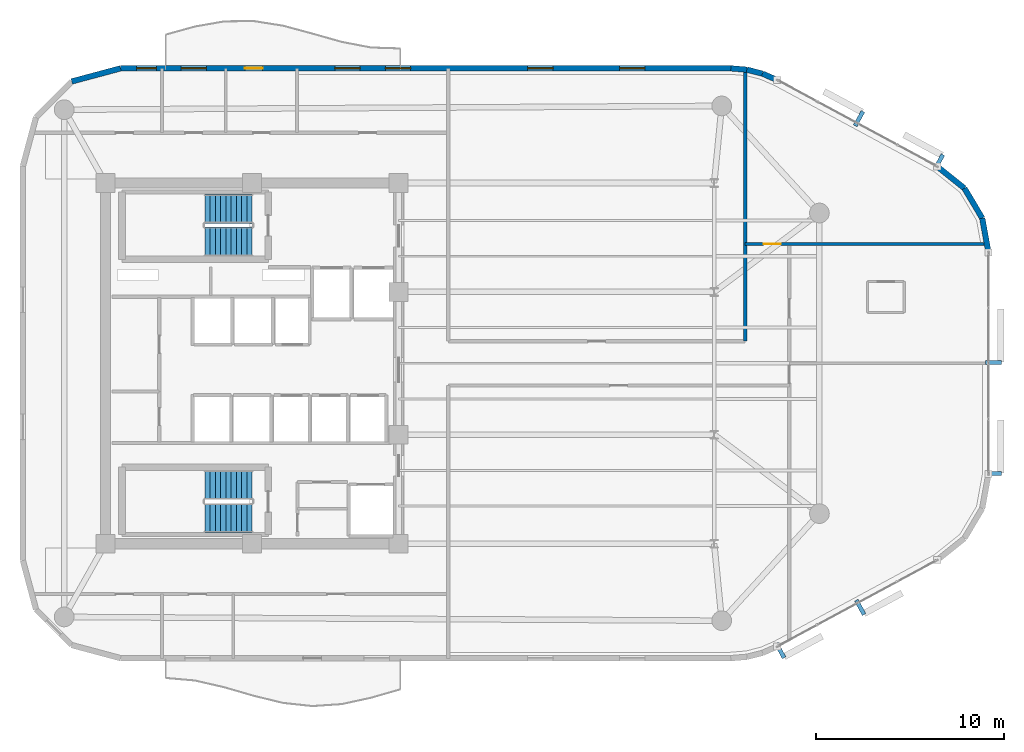
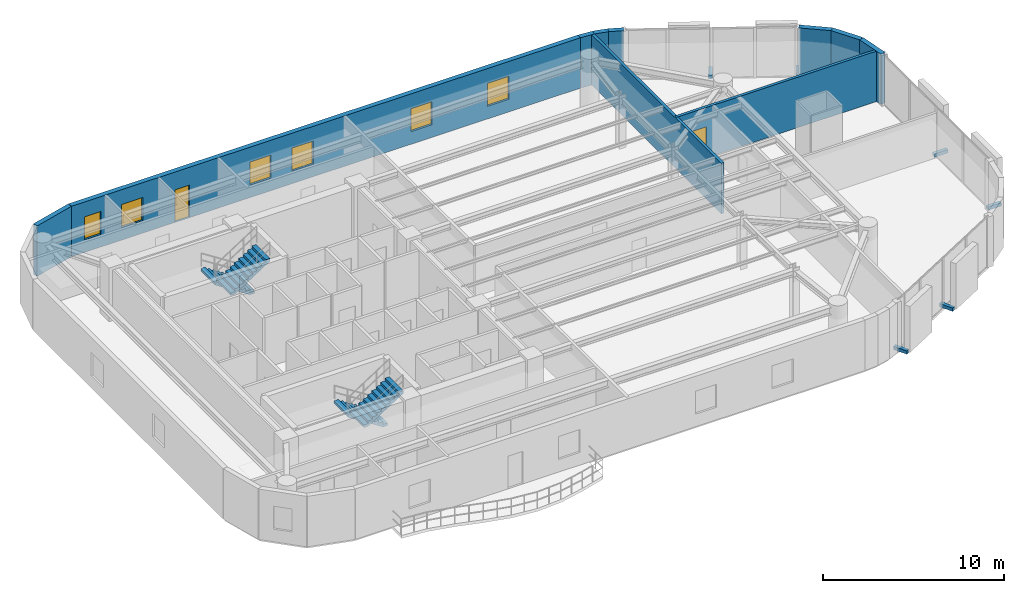
# One storey, part 11 of 13: 10 walls, 6 discrete accessories, 6 windows, 4 stair flights, 2 doors, 8 openings, 2 elements without a shape of their own.
"""IFC4 building model written with IfcOpenShell, lengths in metres."""

from ifc_helpers import new_model, si_unit, direction, frame, frame_2d, origin, origin_2d, place, context, subcontext, project, spatial, polyline, rectangle, outline, extrude, material, layer, layer_set, type_object, element, fill, aggregate, save


model = new_model("IFC4")

# Units and contexts
model_context = context("Model", 3, precision=1e-05, world=origin(), true_north=direction((0.0, 1.0)))
body_context = subcontext(model_context, "Body", "Model", "MODEL_VIEW")
ifc_project = project(units=[si_unit("LENGTHUNIT", "METRE"), si_unit("AREAUNIT", "SQUARE_METRE"), si_unit("VOLUMEUNIT", "CUBIC_METRE"), si_unit("PLANEANGLEUNIT", "RADIAN"), si_unit("MASSUNIT", "GRAM", prefix="KILO")], contexts=[model_context])

# Site, building, storey
site_placement = place(None, origin())
site = spatial("IfcSite", under=ifc_project, at=site_placement, CompositionType="ELEMENT")
building_placement = place(site_placement, origin())
building = spatial("IfcBuilding", under=site, at=building_placement, Name="An Khanh Terracotta Commons", CompositionType="ELEMENT")
storey_placement = place(building_placement, frame((0.0, 0.0, 201.300048828125)))
storey = spatial("IfcBuildingStorey", under=building, at=storey_placement, Name="L52", CompositionType="ELEMENT", Elevation=201.300048828125)

# Wall, opening, door
ifc_material_1 = material(Name="Fire-Rated Gypsum Board on Steel Stud", Category="steel")
ifc_layer_1 = layer(ifc_material_1, 0.179931640625, Name="Fire-Rated Gypsum Board on Steel Stud")
ifc_layer_set_1 = layer_set([ifc_layer_1], Name="Fire-Rated Gypsum Board on Steel Stud")
wall_type_1 = type_object("IfcWallType", Name="WALL-CORR-180", PredefinedType="PARTITIONING", material=ifc_layer_set_1)
wall_1_placement = place(storey_placement, frame((55.64990234375, 30.35009765625, 0.0), z_axis=(0.0, 0.0, 1.0), x_axis=(1.0, 0.0, 0.0)))
wall_1 = element("IfcWall", 1, at=wall_1_placement, inside=storey, type_object=wall_type_1, Name="L52 Interior Partition IW-L52-E005", PredefinedType="PARTITIONING", context=body_context, shape_type="SweptSolid", body=[
    extrude(rectangle(XDim=12.8681640625, YDim=0.179931640625, at=frame_2d((6.43408203125, 0.0))), origin(), (0.0, 0.0, 1.0), 3.39990234375),
])
opening_1_placement = place(wall_1_placement, frame((0.97509765625, 0.0, 0.0)))
opening_1 = element("IfcOpeningElement", 2, at=opening_1_placement, cuts=wall_1, Name="Opening D-RM", PredefinedType="OPENING", context=body_context, shape_type="SweptSolid", body=[
    extrude(rectangle(XDim=0.919921875, YDim=2.10009765625, at=frame_2d((0.4599609375, 1.050048828125))), frame((0.0, 0.099853515625, 0.0), z_axis=(0.0, -1.0, 0.0), x_axis=(1.0, 0.0, 0.0)), (0.0, 0.0, 1.0), 0.199951171875),
])
ifc_material_2 = material(Name="Engineered Hardwood Timber Leaf", Category="wood")
door_type_1 = type_object("IfcDoorType", Name="DOOR-INT-920", OperationType="NOTDEFINED", PredefinedType="DOOR", material=ifc_material_2)
door_1_placement = place(opening_1_placement, origin())
door_1 = element("IfcDoor", 3, at=door_1_placement, inside=storey, type_object=door_type_1, Name="L52 ZCN Collaborative Study Lounge Door", OperationType="SINGLE_SWING_RIGHT", OverallHeight=2.10009765625, OverallWidth=0.919921875, PredefinedType="DOOR", context=body_context, shape_type="SweptSolid", body=[
    extrude(rectangle(XDim=0.919921875, YDim=2.10009765625, at=frame_2d((0.4599609375, 1.050048828125))), frame((0.0, 0.02490234375, 0.0), z_axis=(0.0, -1.0, 0.0), x_axis=(1.0, 0.0, 0.0)), (0.0, 0.0, 1.0), 0.050048828125),
])
fill(opening_1, door_1)

# Walls
wall_2_placement = place(storey_placement, frame((55.64990234375, 25.179931640625, 0.0), z_axis=(0.0, 0.0, 1.0), x_axis=(0.0, 1.0, 0.0)))
element("IfcWall", 4, at=wall_2_placement, inside=storey, type_object=wall_type_1, Name="L52 Interior Partition IW-L52-E014", PredefinedType="PARTITIONING", context=body_context, shape_type="SweptSolid", body=[
    extrude(rectangle(XDim=14.4560546875, YDim=0.179931640625, at=frame_2d((7.22802734375, 0.0))), origin(), (0.0, 0.0, 1.0), 3.39990234375),
])
ifc_material_3 = material(Name="Precast concrete C40/50", Category="concrete")
ifc_layer_2 = layer(ifc_material_3, 0.300048828125, Name="Precast concrete C40/50")
ifc_layer_set_2 = layer_set([ifc_layer_2], Name="Precast concrete C40/50")
wall_type_2 = type_object("IfcWallType", Name="WALL-EXT-300", PredefinedType="SOLIDWALL", material=ifc_layer_set_2)
wall_3_placement = place(storey_placement, frame((68.60009765625, 29.89892578125, 0.0), z_axis=(0.0, 0.0, 1.0), x_axis=(-0.178468469252, 0.983945631365, 0.0)))
element("IfcWall", 5, at=wall_3_placement, inside=storey, type_object=wall_type_2, Name="L52 Insulated Terracotta Exterior Wall 13", PredefinedType="SOLIDWALL", context=body_context, shape_type="SweptSolid", body=[
    extrude(rectangle(XDim=1.85498046875, YDim=0.300048828125, at=frame_2d((0.927490234375, 0.0))), origin(), (0.0, 0.0, 1.0), 3.39990234375),
])
wall_4_placement = place(storey_placement, frame((68.26904296875, 31.72412109375, 0.0), z_axis=(0.0, 0.0, 1.0), x_axis=(-0.512072018927, 0.858942516955, 0.0)))
element("IfcWall", 6, at=wall_4_placement, inside=storey, type_object=wall_type_2, Name="L52 Insulated Terracotta Exterior Wall 14", PredefinedType="SOLIDWALL", context=body_context, shape_type="SweptSolid", body=[
    extrude(rectangle(XDim=1.853271484375, YDim=0.300048828125, at=frame_2d((0.9267578125, 0.0))), origin(), (0.0, 0.0, 1.0), 3.39990234375),
])
wall_5_placement = place(storey_placement, frame((67.320068359375, 33.31591796875, 0.0), z_axis=(0.0, 0.0, 1.0), x_axis=(-0.780920189257, 0.624630817372, 0.0)))
element("IfcWall", 7, at=wall_5_placement, inside=storey, type_object=wall_type_2, Name="L52 Insulated Terracotta Exterior Wall 15", PredefinedType="SOLIDWALL", context=body_context, shape_type="SweptSolid", body=[
    extrude(rectangle(XDim=1.854248046875, YDim=0.300048828125, at=frame_2d((0.92724609375, 0.0))), origin(), (0.0, 0.0, 1.0), 3.39990234375),
])
wall_6_placement = place(storey_placement, frame((57.35693359375, 39.074951171875, 0.0), z_axis=(0.0, 0.0, 1.0), x_axis=(-0.916085473636, 0.400983048261, 0.0)))
element("IfcWall", 8, at=wall_6_placement, inside=storey, type_object=wall_type_2, Name="L52 Insulated Terracotta Exterior Wall 17", PredefinedType="SOLIDWALL", context=body_context, shape_type="SweptSolid", body=[
    extrude(rectangle(XDim=0.85791015625, YDim=0.300048828125, at=frame_2d((0.428955078125, 0.0))), origin(), (0.0, 0.0, 1.0), 3.39990234375),
])
wall_7_placement = place(storey_placement, frame((56.571044921875, 39.4189453125, 0.0), z_axis=(0.0, 0.0, 1.0), x_axis=(-0.969536346338, 0.244947490555, 0.0)))
element("IfcWall", 9, at=wall_7_placement, inside=storey, type_object=wall_type_2, Name="L52 Insulated Terracotta Exterior Wall 18", PredefinedType="SOLIDWALL", context=body_context, shape_type="SweptSolid", body=[
    extrude(rectangle(XDim=0.857177734375, YDim=0.300048828125, at=frame_2d((0.4287109375, 0.0))), origin(), (0.0, 0.0, 1.0), 3.39990234375),
])
wall_8_placement = place(storey_placement, frame((55.739990234375, 39.62890625, 0.0), z_axis=(0.0, 0.0, 1.0), x_axis=(-0.996565355958, 0.082809971041, 0.0)))
element("IfcWall", 10, at=wall_8_placement, inside=storey, type_object=wall_type_2, Name="L52 Insulated Terracotta Exterior Wall 19", PredefinedType="SOLIDWALL", context=body_context, shape_type="SweptSolid", body=[
    extrude(rectangle(XDim=0.85791015625, YDim=0.300048828125, at=frame_2d((0.428955078125, 0.0))), origin(), (0.0, 0.0, 1.0), 3.39990234375),
])

# Wall, openings, door, windows
wall_9_placement = place(storey_placement, frame((54.885009765625, 39.699951171875, 0.0), z_axis=(0.0, 0.0, 1.0), x_axis=(-1.0, 0.0, 0.0)))
wall_9 = element("IfcWall", 11, at=wall_9_placement, inside=storey, type_object=wall_type_2, Name="L52 Insulated Terracotta Exterior Wall 20", PredefinedType="SOLIDWALL", context=body_context, shape_type="SweptSolid", body=[
    extrude(rectangle(XDim=32.485107421875, YDim=0.300048828125, at=frame_2d((16.24267578125, 0.0))), origin(), (0.0, 0.0, 1.0), 3.39990234375),
])
opening_2_placement = place(wall_9_placement, frame((24.922119140625, 0.0, 0.0)))
opening_2 = element("IfcOpeningElement", 12, at=opening_2_placement, cuts=wall_9, Name="Opening D-BAL", PredefinedType="OPENING", context=body_context, shape_type="SweptSolid", body=[
    extrude(rectangle(XDim=0.949951171875, YDim=2.199951171875, at=frame_2d((0.47509765625, 1.10009765625))), frame((0.0, 0.159912109375, 0.0), z_axis=(0.0, -1.0, 0.0), x_axis=(1.0, 0.0, 0.0)), (0.0, 0.0, 1.0), 0.320068359375),
])
opening_3_placement = place(wall_9_placement, frame((4.570068359375, 0.0, 0.85009765625)))
opening_3 = element("IfcOpeningElement", 13, at=opening_3_placement, cuts=wall_9, Name="Opening W-04", PredefinedType="OPENING", context=body_context, shape_type="SweptSolid", body=[
    extrude(rectangle(XDim=1.35009765625, YDim=1.550048828125, at=frame_2d((0.675048828125, 0.77490234375))), frame((0.0, 0.159912109375, 0.0), z_axis=(0.0, -1.0, 0.0), x_axis=(1.0, 0.0, 0.0)), (0.0, 0.0, 1.0), 0.320068359375),
])
opening_4_placement = place(wall_9_placement, frame((9.465087890625, 0.0, 0.85009765625)))
opening_4 = element("IfcOpeningElement", 14, at=opening_4_placement, cuts=wall_9, Name="Opening W-04", PredefinedType="OPENING", context=body_context, shape_type="SweptSolid", body=[
    extrude(rectangle(XDim=1.35009765625, YDim=1.550048828125, at=frame_2d((0.675048828125, 0.77490234375))), frame((0.0, 0.159912109375, 0.0), z_axis=(0.0, -1.0, 0.0), x_axis=(1.0, 0.0, 0.0)), (0.0, 0.0, 1.0), 0.320068359375),
])
opening_5_placement = place(wall_9_placement, frame((17.04296875, 0.0, 0.85009765625)))
opening_5 = element("IfcOpeningElement", 15, at=opening_5_placement, cuts=wall_9, Name="Opening W-04", PredefinedType="OPENING", context=body_context, shape_type="SweptSolid", body=[
    extrude(rectangle(XDim=1.35009765625, YDim=1.550048828125, at=frame_2d((0.675048828125, 0.77490234375))), frame((0.0, 0.159912109375, 0.0), z_axis=(0.0, -1.0, 0.0), x_axis=(1.0, 0.0, 0.0)), (0.0, 0.0, 1.0), 0.320068359375),
])
opening_6_placement = place(wall_9_placement, frame((19.72705078125, 0.0, 0.85009765625)))
opening_6 = element("IfcOpeningElement", 16, at=opening_6_placement, cuts=wall_9, Name="Opening W-04", PredefinedType="OPENING", context=body_context, shape_type="SweptSolid", body=[
    extrude(rectangle(XDim=1.35009765625, YDim=1.550048828125, at=frame_2d((0.675048828125, 0.77490234375))), frame((0.0, 0.159912109375, 0.0), z_axis=(0.0, -1.0, 0.0), x_axis=(1.0, 0.0, 0.0)), (0.0, 0.0, 1.0), 0.320068359375),
])
opening_7_placement = place(wall_9_placement, frame((27.909912109375, 0.0, 0.85009765625)))
opening_7 = element("IfcOpeningElement", 17, at=opening_7_placement, cuts=wall_9, Name="Opening W-04", PredefinedType="OPENING", context=body_context, shape_type="SweptSolid", body=[
    extrude(rectangle(XDim=1.35009765625, YDim=1.550048828125, at=frame_2d((0.675048828125, 0.77490234375))), frame((0.0, 0.159912109375, 0.0), z_axis=(0.0, -1.0, 0.0), x_axis=(1.0, 0.0, 0.0)), (0.0, 0.0, 1.0), 0.320068359375),
])
opening_8_placement = place(wall_9_placement, frame((30.580078125, 0.0, 0.85009765625)))
opening_8 = element("IfcOpeningElement", 18, at=opening_8_placement, cuts=wall_9, Name="Opening W-06", PredefinedType="OPENING", context=body_context, shape_type="SweptSolid", body=[
    extrude(rectangle(XDim=1.050048828125, YDim=1.550048828125, at=frame_2d((0.52490234375, 0.77490234375))), frame((0.0, 0.159912109375, 0.0), z_axis=(0.0, -1.0, 0.0), x_axis=(1.0, 0.0, 0.0)), (0.0, 0.0, 1.0), 0.320068359375),
])
ifc_material_4 = material(Name="Thermally Broken Aluminium and Low-E Glass", Category="aluminium")
door_type_2 = type_object("IfcDoorType", Name="DOOR-BALC-950", OperationType="NOTDEFINED", PredefinedType="DOOR", material=ifc_material_4)
door_2_placement = place(opening_2_placement, origin())
door_2 = element("IfcDoor", 19, at=door_2_placement, inside=storey, type_object=door_type_2, Name="L52 N Wave Balcony Glazed Door", OperationType="SINGLE_SWING_RIGHT", OverallHeight=2.199951171875, OverallWidth=0.949951171875, PredefinedType="DOOR", context=body_context, shape_type="SweptSolid", body=[
    extrude(rectangle(XDim=0.949951171875, YDim=2.199951171875, at=frame_2d((0.47509765625, 1.10009765625))), frame((0.0, 0.02490234375, 0.0), z_axis=(0.0, -1.0, 0.0), x_axis=(1.0, 0.0, 0.0)), (0.0, 0.0, 1.0), 0.050048828125),
])
fill(opening_2, door_2)
window_type_1 = type_object("IfcWindowType", Name="WIN-COR-1050x1550", PartitioningType="SINGLE_PANEL", PredefinedType="WINDOW", material=ifc_material_4)
window_1_placement = place(opening_8_placement, origin())
window_1 = element("IfcWindow", 20, at=window_1_placement, inside=storey, type_object=window_type_1, Name="L52 L52-NW1 Dwelling Casement Window", OverallHeight=1.550048828125, OverallWidth=1.050048828125, PartitioningType="SINGLE_PANEL", PredefinedType="WINDOW", context=body_context, shape_type="SweptSolid", body=[
    extrude(rectangle(XDim=1.050048828125, YDim=1.550048828125, at=frame_2d((0.52490234375, 0.77490234375))), frame((0.0, 0.030029296875, 0.0), z_axis=(0.0, -1.0, 0.0), x_axis=(1.0, 0.0, 0.0)), (0.0, 0.0, 1.0), 0.06005859375),
])
fill(opening_8, window_1)
window_type_2 = type_object("IfcWindowType", Name="WIN-Z4-1350x1550", PartitioningType="SINGLE_PANEL", PredefinedType="WINDOW", material=ifc_material_4)
window_2_placement = place(opening_3_placement, origin())
window_2 = element("IfcWindow", 21, at=window_2_placement, inside=storey, type_object=window_type_2, Name="L52 Operable Casement Window 20.1", OverallHeight=1.550048828125, OverallWidth=1.35009765625, PartitioningType="SINGLE_PANEL", PredefinedType="WINDOW", context=body_context, shape_type="SweptSolid", body=[
    extrude(rectangle(XDim=1.35009765625, YDim=1.550048828125, at=frame_2d((0.675048828125, 0.77490234375))), frame((0.0, 0.030029296875, 0.0), z_axis=(0.0, -1.0, 0.0), x_axis=(1.0, 0.0, 0.0)), (0.0, 0.0, 1.0), 0.06005859375),
])
fill(opening_3, window_2)
window_3_placement = place(opening_4_placement, origin())
window_3 = element("IfcWindow", 22, at=window_3_placement, inside=storey, type_object=window_type_2, Name="L52 Operable Casement Window 20.2", OverallHeight=1.550048828125, OverallWidth=1.35009765625, PartitioningType="SINGLE_PANEL", PredefinedType="WINDOW", context=body_context, shape_type="SweptSolid", body=[
    extrude(rectangle(XDim=1.35009765625, YDim=1.550048828125, at=frame_2d((0.675048828125, 0.77490234375))), frame((0.0, 0.030029296875, 0.0), z_axis=(0.0, -1.0, 0.0), x_axis=(1.0, 0.0, 0.0)), (0.0, 0.0, 1.0), 0.06005859375),
])
fill(opening_4, window_3)
window_4_placement = place(opening_5_placement, origin())
window_4 = element("IfcWindow", 23, at=window_4_placement, inside=storey, type_object=window_type_2, Name="L52 Operable Casement Window 20.3", OverallHeight=1.550048828125, OverallWidth=1.35009765625, PartitioningType="SINGLE_PANEL", PredefinedType="WINDOW", context=body_context, shape_type="SweptSolid", body=[
    extrude(rectangle(XDim=1.35009765625, YDim=1.550048828125, at=frame_2d((0.675048828125, 0.77490234375))), frame((0.0, 0.030029296875, 0.0), z_axis=(0.0, -1.0, 0.0), x_axis=(1.0, 0.0, 0.0)), (0.0, 0.0, 1.0), 0.06005859375),
])
fill(opening_5, window_4)
window_5_placement = place(opening_6_placement, origin())
window_5 = element("IfcWindow", 24, at=window_5_placement, inside=storey, type_object=window_type_2, Name="L52 Operable Casement Window 20.4", OverallHeight=1.550048828125, OverallWidth=1.35009765625, PartitioningType="SINGLE_PANEL", PredefinedType="WINDOW", context=body_context, shape_type="SweptSolid", body=[
    extrude(rectangle(XDim=1.35009765625, YDim=1.550048828125, at=frame_2d((0.675048828125, 0.77490234375))), frame((0.0, 0.030029296875, 0.0), z_axis=(0.0, -1.0, 0.0), x_axis=(1.0, 0.0, 0.0)), (0.0, 0.0, 1.0), 0.06005859375),
])
fill(opening_6, window_5)
window_6_placement = place(opening_7_placement, origin())
window_6 = element("IfcWindow", 25, at=window_6_placement, inside=storey, type_object=window_type_2, Name="L52 Operable Casement Window 20.5", OverallHeight=1.550048828125, OverallWidth=1.35009765625, PartitioningType="SINGLE_PANEL", PredefinedType="WINDOW", context=body_context, shape_type="SweptSolid", body=[
    extrude(rectangle(XDim=1.35009765625, YDim=1.550048828125, at=frame_2d((0.675048828125, 0.77490234375))), frame((0.0, 0.030029296875, 0.0), z_axis=(0.0, -1.0, 0.0), x_axis=(1.0, 0.0, 0.0)), (0.0, 0.0, 1.0), 0.06005859375),
])
fill(opening_7, window_6)

# Wall
wall_10_placement = place(storey_placement, frame((22.39990234375, 39.699951171875, 0.0), z_axis=(0.0, 0.0, 1.0), x_axis=(-0.965889330541, -0.258955210695, 0.0)))
element("IfcWall", 26, at=wall_10_placement, inside=storey, type_object=wall_type_2, Name="L52 Insulated Terracotta Exterior Wall 21", PredefinedType="SOLIDWALL", context=body_context, shape_type="SweptSolid", body=[
    extrude(rectangle(XDim=2.691650390625, YDim=0.300048828125, at=frame_2d((1.345703125, 0.0))), origin(), (0.0, 0.0, 1.0), 3.39990234375),
])

# Stair, stair flights
stair_type = type_object("IfcStairType", Name="STAIR-CORE-1550", PredefinedType="HALF_TURN_STAIR", material=ifc_material_3)
stair_1_placement = place(storey_placement, origin())
stair_1 = element("IfcStair", 27, at=stair_1_placement, inside=storey, type_object=stair_type, Name="L52 Core Smokeproof Exit Stair ST-01", PredefinedType="HALF_TURN_STAIR")
stair_flight_type = type_object("IfcStairFlightType", Name="FLIGHT-CORE-1550", PredefinedType="STRAIGHT", material=ifc_material_3)
stair_flight_1_placement = place(storey_placement, frame((29.409912109375, 32.22509765625, 0.0), z_axis=(0.0, 0.0, 1.0), x_axis=(-1.0, 0.0, 0.0)))
stair_flight_1 = element("IfcStairFlight", 28, at=stair_flight_1_placement, type_object=stair_flight_type, Name="ST-01 flight 1", NumberOfRisers=10, NumberOfTreads=9, PredefinedType="STRAIGHT", RiserHeight=0.18, TreadLength=0.28, context=body_context, shape_type="SweptSolid", body=[
    extrude(outline(polyline([(0.0, 0.0), (0.0, 0.179931640625), (0.280029296875, 0.179931640625), (0.280029296875, 0.360107421875), (0.56005859375, 0.360107421875), (0.56005859375, 0.5400390625), (0.840087890625, 0.5400390625), (0.840087890625, 0.719970703125), (1.1201171875, 0.719970703125), (1.1201171875, 0.89990234375), (1.39990234375, 0.89990234375), (1.39990234375, 1.080078125), (1.679931640625, 1.080078125), (1.679931640625, 1.260009765625), (1.9599609375, 1.260009765625), (1.9599609375, 1.43994140625), (2.239990234375, 1.43994140625), (2.239990234375, 1.6201171875), (2.52001953125, 1.6201171875), (2.52001953125, 1.800048828125), (2.52001953125, 1.44189453125), (0.277099609375, 0.0), (0.0, 0.0)])), frame((0.0, 0.77490234375, 0.0), z_axis=(0.0, -1.0, 0.0), x_axis=(1.0, 0.0, 0.0)), (0.0, 0.0, 1.0), 1.550048828125),
])
stair_flight_2_placement = place(storey_placement, frame((26.889892578125, 30.47509765625, 1.800048828125), z_axis=(0.0, 0.0, 1.0), x_axis=(1.0, 0.0, 0.0)))
stair_flight_2 = element("IfcStairFlight", 29, at=stair_flight_2_placement, type_object=stair_flight_type, Name="ST-01 flight 2", NumberOfRisers=10, NumberOfTreads=9, PredefinedType="STRAIGHT", RiserHeight=0.18, TreadLength=0.28, context=body_context, shape_type="SweptSolid", body=[
    extrude(outline(polyline([(0.0, 0.0), (0.0, 0.179931640625), (0.280029296875, 0.179931640625), (0.280029296875, 0.360107421875), (0.56005859375, 0.360107421875), (0.56005859375, 0.5400390625), (0.840087890625, 0.5400390625), (0.840087890625, 0.719970703125), (1.1201171875, 0.719970703125), (1.1201171875, 0.89990234375), (1.39990234375, 0.89990234375), (1.39990234375, 1.080078125), (1.679931640625, 1.080078125), (1.679931640625, 1.260009765625), (1.9599609375, 1.260009765625), (1.9599609375, 1.43994140625), (2.239990234375, 1.43994140625), (2.239990234375, 1.6201171875), (2.52001953125, 1.6201171875), (2.52001953125, 1.800048828125), (2.52001953125, 1.44189453125), (0.277099609375, 0.0), (0.0, 0.0)])), frame((0.0, 0.77490234375, 0.0), z_axis=(0.0, -1.0, 0.0), x_axis=(1.0, 0.0, 0.0)), (0.0, 0.0, 1.0), 1.550048828125),
])
aggregate(stair_1, [stair_flight_1, stair_flight_2])

stair_2_placement = place(storey_placement, origin())
stair_2 = element("IfcStair", 30, at=stair_2_placement, inside=storey, type_object=stair_type, Name="L52 Core Smokeproof Exit Stair ST-02", PredefinedType="HALF_TURN_STAIR")
stair_flight_3_placement = place(storey_placement, frame((29.409912109375, 17.52490234375, 0.0), z_axis=(0.0, 0.0, 1.0), x_axis=(-1.0, 0.0, 0.0)))
stair_flight_3 = element("IfcStairFlight", 31, at=stair_flight_3_placement, type_object=stair_flight_type, Name="ST-02 flight 1", NumberOfRisers=10, NumberOfTreads=9, PredefinedType="STRAIGHT", RiserHeight=0.18, TreadLength=0.28, context=body_context, shape_type="SweptSolid", body=[
    extrude(outline(polyline([(0.0, 0.0), (0.0, 0.179931640625), (0.280029296875, 0.179931640625), (0.280029296875, 0.360107421875), (0.56005859375, 0.360107421875), (0.56005859375, 0.5400390625), (0.840087890625, 0.5400390625), (0.840087890625, 0.719970703125), (1.1201171875, 0.719970703125), (1.1201171875, 0.89990234375), (1.39990234375, 0.89990234375), (1.39990234375, 1.080078125), (1.679931640625, 1.080078125), (1.679931640625, 1.260009765625), (1.9599609375, 1.260009765625), (1.9599609375, 1.43994140625), (2.239990234375, 1.43994140625), (2.239990234375, 1.6201171875), (2.52001953125, 1.6201171875), (2.52001953125, 1.800048828125), (2.52001953125, 1.44189453125), (0.277099609375, 0.0), (0.0, 0.0)])), frame((0.0, 0.77490234375, 0.0), z_axis=(0.0, -1.0, 0.0), x_axis=(1.0, 0.0, 0.0)), (0.0, 0.0, 1.0), 1.550048828125),
])
stair_flight_4_placement = place(storey_placement, frame((26.889892578125, 15.77490234375, 1.800048828125), z_axis=(0.0, 0.0, 1.0), x_axis=(1.0, 0.0, 0.0)))
stair_flight_4 = element("IfcStairFlight", 32, at=stair_flight_4_placement, type_object=stair_flight_type, Name="ST-02 flight 2", NumberOfRisers=10, NumberOfTreads=9, PredefinedType="STRAIGHT", RiserHeight=0.18, TreadLength=0.28, context=body_context, shape_type="SweptSolid", body=[
    extrude(outline(polyline([(0.0, 0.0), (0.0, 0.179931640625), (0.280029296875, 0.179931640625), (0.280029296875, 0.360107421875), (0.56005859375, 0.360107421875), (0.56005859375, 0.5400390625), (0.840087890625, 0.5400390625), (0.840087890625, 0.719970703125), (1.1201171875, 0.719970703125), (1.1201171875, 0.89990234375), (1.39990234375, 0.89990234375), (1.39990234375, 1.080078125), (1.679931640625, 1.080078125), (1.679931640625, 1.260009765625), (1.9599609375, 1.260009765625), (1.9599609375, 1.43994140625), (2.239990234375, 1.43994140625), (2.239990234375, 1.6201171875), (2.52001953125, 1.6201171875), (2.52001953125, 1.800048828125), (2.52001953125, 1.44189453125), (0.277099609375, 0.0), (0.0, 0.0)])), frame((0.0, 0.77490234375, 0.0), z_axis=(0.0, -1.0, 0.0), x_axis=(1.0, 0.0, 0.0)), (0.0, 0.0, 1.0), 1.550048828125),
])
aggregate(stair_2, [stair_flight_3, stair_flight_4])

# Discrete accessories
ifc_material_5 = material(Name="Stainless Steel Grade 316L", Category="steel")
discrete_accessory_type = type_object("IfcDiscreteAccessoryType", Name="Stainless Outrigger Facade Bracket", PredefinedType="BRACKET", material=ifc_material_5)
for number, where, z_axis, x_axis, name in (
    (33, (57.513916015625, 8.7080078125, 0.06982421875), (0.0, 0.0, 1.0), (0.879780095306, 0.47538088298, 0.0), "L52 Terracotta Screen Outrigger Bracket 1"),
    (34, (61.77099609375, 11.009033203125, 0.06982421875), (0.0, 0.0, 1.0), (0.879780095306, 0.47538088298, 0.0), "L52 Terracotta Screen Outrigger Bracket 3"),
    (35, (68.864990234375, 18.135986328125, 0.06982421875), (0.0, 0.0, 1.0), (0.0, 1.0, 0.0), "L52 Terracotta Screen Outrigger Bracket 1"),
    (36, (68.864990234375, 24.034912109375, 0.06982421875), (0.0, 0.0, 1.0), (0.0, 1.0, 0.0), "L52 Terracotta Screen Outrigger Bracket 3"),
    (37, (65.967041015625, 34.72412109375, 0.06982421875), (0.0, 0.0, 1.0), (-0.879780095306, 0.47538088298, 0.0), "L52 Terracotta Screen Outrigger Bracket 1"),
    (38, (61.7099609375, 37.02392578125, 0.06982421875), (0.0, 0.0, 1.0), (-0.879780095306, 0.47538088298, 0.0), "L52 Terracotta Screen Outrigger Bracket 3"),
):
    element("IfcDiscreteAccessory", number, at=place(storey_placement, frame(where, z_axis=z_axis, x_axis=x_axis)), inside=storey, type_object=discrete_accessory_type, Name=name, PredefinedType="BRACKET", context=body_context, shape_type="SweptSolid", body=[
        extrude(rectangle(XDim=0.219970703125, YDim=0.8701171875, at=origin_2d()), origin(), (0.0, 0.0, 1.0), 0.219970703125),
    ])

save(model, "model.ifc")
